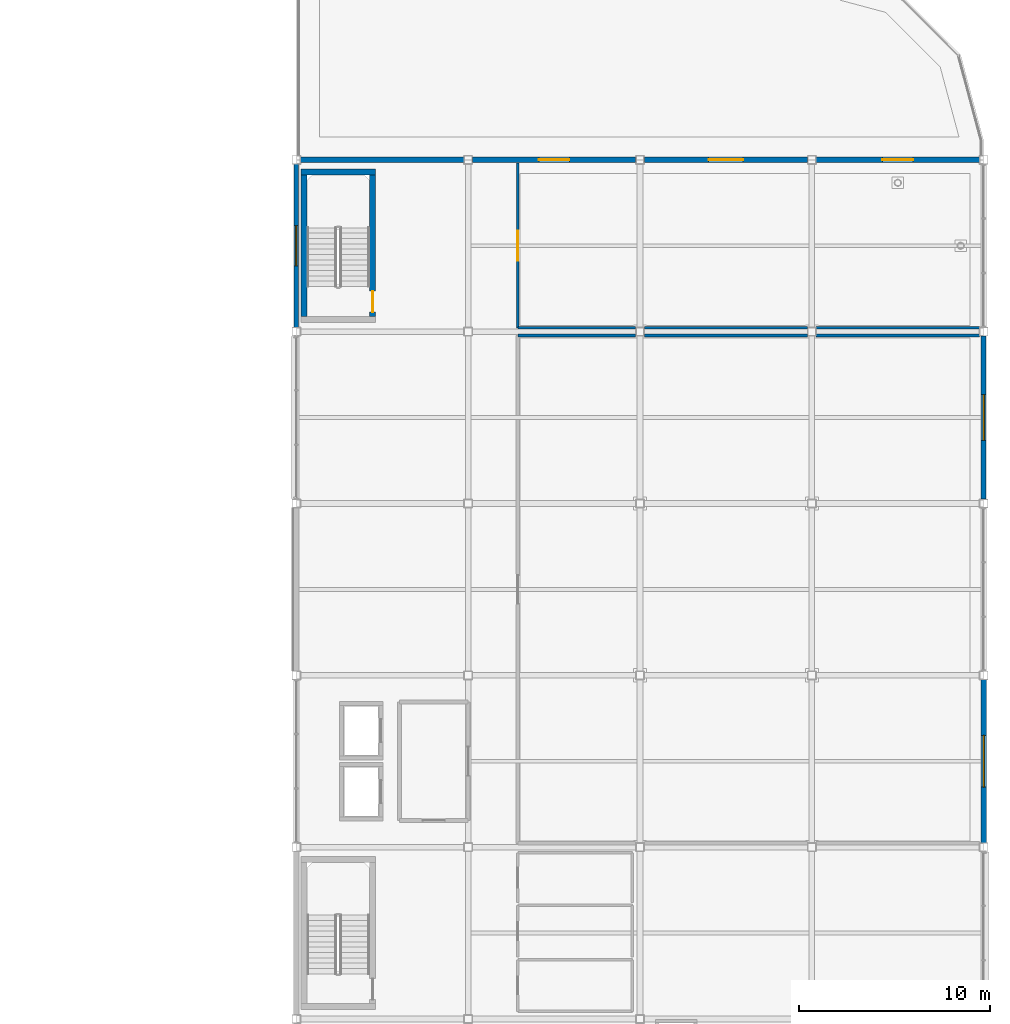
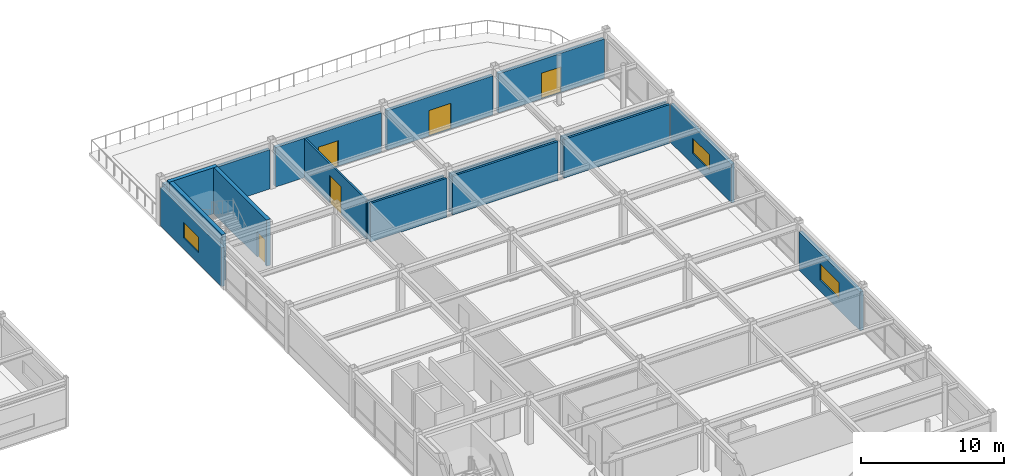
# One storey, part 83 of 108: 17 walls, 5 doors, 3 windows, 8 openings.
"""IFC4 building model written with IfcOpenShell, lengths in metres."""

from ifc_helpers import new_model, si_unit, direction, frame, frame_2d, origin, place, context, subcontext, project, spatial, rectangle, extrude, material, layer, layer_set, type_object, element, fill, save


model = new_model("IFC4")

# Units and contexts
model_context = context("Model", 3, precision=1e-05, world=origin(), true_north=direction((0.0, 1.0)))
body_context = subcontext(model_context, "Body", "Model", "MODEL_VIEW")
ifc_project = project(units=[si_unit("LENGTHUNIT", "METRE"), si_unit("AREAUNIT", "SQUARE_METRE"), si_unit("VOLUMEUNIT", "CUBIC_METRE"), si_unit("PLANEANGLEUNIT", "RADIAN"), si_unit("MASSUNIT", "GRAM", prefix="KILO")], contexts=[model_context])

# Site, building, storey
site_placement = place(None, origin())
site = spatial("IfcSite", under=ifc_project, at=site_placement, CompositionType="ELEMENT")
building_placement = place(site_placement, origin())
building = spatial("IfcBuilding", under=site, at=building_placement, Name="Suzunagisa Mobility Hub", CompositionType="ELEMENT")
storey_placement = place(building_placement, frame((0.0, 0.0, 9.300048828125)))
storey = spatial("IfcBuildingStorey", under=building, at=storey_placement, Name="L02", CompositionType="ELEMENT", Elevation=9.300048828125)

# Wall, opening, window
ifc_material_1 = material(Name="Porcelain-Faced Insulated Concrete C30/37 Wall", Category="concrete")
ifc_layer_1 = layer(ifc_material_1, 0.260009765625)
ifc_layer_set_1 = layer_set([ifc_layer_1], Name="Porcelain-Faced Insulated Concrete C30/37 Wall")
wall_type_1 = type_object("IfcWallType", Name="Exterior Wall EW-03 260mm", PredefinedType="SOLIDWALL", material=ifc_layer_set_1)
wall_1_placement = place(storey_placement, frame((180.0, 80.22509765625, 0.0), z_axis=(0.0, 0.0, 1.0), x_axis=(0.0, 1.0, 0.0)))
wall_1 = element("IfcWall", 1, at=wall_1_placement, inside=storey, type_object=wall_type_1, Name="L02 Exterior Facade Wall EW-374", PredefinedType="SOLIDWALL", context=body_context, shape_type="SweptSolid", body=[
    extrude(rectangle(XDim=8.5498046875, YDim=0.260009765625, at=frame_2d((4.27490234375, 0.0))), origin(), (0.0, 0.0, 1.0), 3.300048828125),
])
opening_1_placement = place(wall_1_placement, frame((3.074951171875, 0.0, 0.949951171875)))
opening_1 = element("IfcOpeningElement", 2, at=opening_1_placement, cuts=wall_1, Name="Opening WN-30", PredefinedType="OPENING", context=body_context, shape_type="SweptSolid", body=[
    extrude(rectangle(XDim=2.39990234375, YDim=1.300048828125, at=frame_2d((1.199951171875, 0.64990234375))), frame((0.0, 0.14111328125, 0.0), z_axis=(0.0, -1.0, 0.0), x_axis=(1.0, 0.0, 0.0)), (0.0, 0.0, 1.0), 0.281982421875),
])
ifc_material_2 = material(Name="Thermally Broken Anodized Aluminum and Low-E Double Glazing", Category="aluminium")
window_type_1 = type_object("IfcWindowType", Name="Aluminum Window WN-30 2400x1300", PartitioningType="SINGLE_PANEL", PredefinedType="WINDOW", material=ifc_material_2)
window_1_placement = place(opening_1_placement, origin())
window_1 = element("IfcWindow", 3, at=window_1_placement, inside=storey, type_object=window_type_1, Name="L02 Scheduled Facade Window WN-127", OverallHeight=1.300048828125, OverallWidth=2.39990234375, PartitioningType="SINGLE_PANEL", PredefinedType="WINDOW", context=body_context, shape_type="SweptSolid", body=[
    extrude(rectangle(XDim=2.39990234375, YDim=1.300048828125, at=frame_2d((1.199951171875, 0.64990234375))), frame((0.0, 0.030029296875, 0.0), z_axis=(0.0, -1.0, 0.0), x_axis=(1.0, 0.0, 0.0)), (0.0, 0.0, 1.0), 0.06005859375),
])
fill(opening_1, window_1)

ifc_material_3 = material(Name="Lightweight Insulated Autoclaved Concrete C30/37 Wall", Category="concrete")
ifc_layer_2 = layer(ifc_material_3, 0.239990234375)
ifc_layer_set_2 = layer_set([ifc_layer_2], Name="Lightweight Insulated Autoclaved Concrete C30/37 Wall")
wall_type_2 = type_object("IfcWallType", Name="Exterior Wall EW-04 240mm", PredefinedType="SOLIDWALL", material=ifc_layer_set_2)
wall_2_placement = place(storey_placement, frame((144.0, 97.77490234375, 0.0), z_axis=(0.0, 0.0, 1.0), x_axis=(0.0, -1.0, 0.0)))
wall_2 = element("IfcWall", 4, at=wall_2_placement, inside=storey, type_object=wall_type_2, Name="L02 Exterior Facade Wall EW-379", PredefinedType="SOLIDWALL", context=body_context, shape_type="SweptSolid", body=[
    extrude(rectangle(XDim=8.5498046875, YDim=0.239990234375, at=frame_2d((4.27490234375, 0.0))), origin(), (0.0, 0.0, 1.0), 3.300048828125),
])
opening_2_placement = place(wall_2_placement, frame((3.22509765625, 0.0, 0.949951171875)))
opening_2 = element("IfcOpeningElement", 5, at=opening_2_placement, cuts=wall_2, Name="Opening WN-07", PredefinedType="OPENING", context=body_context, shape_type="SweptSolid", body=[
    extrude(rectangle(XDim=2.10009765625, YDim=1.300048828125, at=frame_2d((1.050048828125, 0.64990234375))), frame((0.0, 0.130859375, 0.0), z_axis=(0.0, -1.0, 0.0), x_axis=(1.0, 0.0, 0.0)), (0.0, 0.0, 1.0), 0.261962890625),
])
window_type_2 = type_object("IfcWindowType", Name="Aluminum Window WN-07 2100x1300", PartitioningType="SINGLE_PANEL", PredefinedType="WINDOW", material=ifc_material_2)
window_2_placement = place(opening_2_placement, origin())
window_2 = element("IfcWindow", 6, at=window_2_placement, inside=storey, type_object=window_type_2, Name="L02 Scheduled Facade Window WN-128", OverallHeight=1.300048828125, OverallWidth=2.10009765625, PartitioningType="SINGLE_PANEL", PredefinedType="WINDOW", context=body_context, shape_type="SweptSolid", body=[
    extrude(rectangle(XDim=2.10009765625, YDim=1.300048828125, at=frame_2d((1.050048828125, 0.64990234375))), frame((0.0, 0.030029296875, 0.0), z_axis=(0.0, -1.0, 0.0), x_axis=(1.0, 0.0, 0.0)), (0.0, 0.0, 1.0), 0.06005859375),
])
fill(opening_2, window_2)

ifc_layer_3 = layer(ifc_material_1, 0.280029296875)
ifc_layer_set_3 = layer_set([ifc_layer_3], Name="Porcelain-Faced Insulated Concrete C30/37 Wall")
wall_type_3 = type_object("IfcWallType", Name="Exterior Wall EW-08 280mm", PredefinedType="SOLIDWALL", material=ifc_layer_set_3)
wall_3_placement = place(storey_placement, frame((180.0, 62.22509765625, 0.0), z_axis=(0.0, 0.0, 1.0), x_axis=(0.0, 1.0, 0.0)))
wall_3 = element("IfcWall", 7, at=wall_3_placement, inside=storey, type_object=wall_type_3, Name="L02 Exterior Facade Wall EW-373", PredefinedType="SOLIDWALL", context=body_context, shape_type="SweptSolid", body=[
    extrude(rectangle(XDim=8.5498046875, YDim=0.280029296875, at=frame_2d((4.27490234375, 0.0))), origin(), (0.0, 0.0, 1.0), 3.300048828125),
])
opening_3_placement = place(wall_3_placement, frame((2.925048828125, 0.0, 0.949951171875)))
opening_3 = element("IfcOpeningElement", 8, at=opening_3_placement, cuts=wall_3, Name="Opening WN-20", PredefinedType="OPENING", context=body_context, shape_type="SweptSolid", body=[
    extrude(rectangle(XDim=2.699951171875, YDim=1.39990234375, at=frame_2d((1.35009765625, 0.699951171875))), frame((0.0, 0.15087890625, 0.0), z_axis=(0.0, -1.0, 0.0), x_axis=(1.0, 0.0, 0.0)), (0.0, 0.0, 1.0), 0.302001953125),
])
window_type_3 = type_object("IfcWindowType", Name="Aluminum Window WN-20 2700x1400", PartitioningType="SINGLE_PANEL", PredefinedType="WINDOW", material=ifc_material_2)
window_3_placement = place(opening_3_placement, origin())
window_3 = element("IfcWindow", 9, at=window_3_placement, inside=storey, type_object=window_type_3, Name="L02 Scheduled Facade Window WN-126", OverallHeight=1.39990234375, OverallWidth=2.699951171875, PartitioningType="SINGLE_PANEL", PredefinedType="WINDOW", context=body_context, shape_type="SweptSolid", body=[
    extrude(rectangle(XDim=2.699951171875, YDim=1.39990234375, at=frame_2d((1.35009765625, 0.699951171875))), frame((0.0, 0.030029296875, 0.0), z_axis=(0.0, -1.0, 0.0), x_axis=(1.0, 0.0, 0.0)), (0.0, 0.0, 1.0), 0.06005859375),
])
fill(opening_3, window_3)

# Wall, opening, door
wall_4_placement = place(storey_placement, frame((179.77490234375, 98.0, 0.0), z_axis=(0.0, 0.0, 1.0), x_axis=(-1.0, 0.0, 0.0)))
wall_4 = element("IfcWall", 10, at=wall_4_placement, inside=storey, type_object=wall_type_3, Name="L02 Terrace Access Wall 375", PredefinedType="SOLIDWALL", context=body_context, shape_type="SweptSolid", body=[
    extrude(rectangle(XDim=8.5498046875, YDim=0.280029296875, at=frame_2d((4.27490234375, 0.0))), origin(), (0.0, 0.0, 1.0), 3.362060546875),
])
opening_4_placement = place(wall_4_placement, frame((5.0751953125, 0.0, 0.0), z_axis=(0.0, 0.0, 1.0), x_axis=(-1.0, 0.0, 0.0)))
opening_4 = element("IfcOpeningElement", 11, at=opening_4_placement, cuts=wall_4, Name="Opening ED-03", PredefinedType="OPENING", context=body_context, shape_type="SweptSolid", body=[
    extrude(rectangle(XDim=1.60009765625, YDim=2.199951171875, at=frame_2d((0.800048828125, 1.10009765625))), frame((0.0, 0.15087890625, 0.0), z_axis=(0.0, -1.0, 0.0), x_axis=(1.0, 0.0, 0.0)), (0.0, 0.0, 1.0), 0.302001953125),
])
ifc_material_4 = material(Name="Anodized Aluminum and Tempered Safety Glass", Category="aluminium")
door_type_1 = type_object("IfcDoorType", Name="Exterior Glazed Aluminum Door ED-03 1600x2200", OperationType="DOUBLE_DOOR_SINGLE_SWING", PredefinedType="DOOR", material=ifc_material_4)
door_1_placement = place(opening_4_placement, origin())
door_1 = element("IfcDoor", 12, at=door_1_placement, inside=storey, type_object=door_type_1, Name="L02 Roof Garden Terrace Access Door TD-39", OperationType="SINGLE_SWING_LEFT", OverallHeight=2.199951171875, OverallWidth=1.60009765625, PredefinedType="DOOR", context=body_context, shape_type="SweptSolid", body=[
    extrude(rectangle(XDim=1.60009765625, YDim=2.199951171875, at=frame_2d((0.800048828125, 1.10009765625))), frame((0.0, 0.02490234375, 0.0), z_axis=(0.0, -1.0, 0.0), x_axis=(1.0, 0.0, 0.0)), (0.0, 0.0, 1.0), 0.050048828125),
])
fill(opening_4, door_1)

wall_5_placement = place(storey_placement, frame((170.77490234375, 98.0, 0.0), z_axis=(0.0, 0.0, 1.0), x_axis=(-1.0, 0.0, 0.0)))
wall_5 = element("IfcWall", 13, at=wall_5_placement, inside=storey, type_object=wall_type_3, Name="L02 Terrace Access Wall 376", PredefinedType="SOLIDWALL", context=body_context, shape_type="SweptSolid", body=[
    extrude(rectangle(XDim=8.5498046875, YDim=0.280029296875, at=frame_2d((4.27490234375, 0.0))), origin(), (0.0, 0.0, 1.0), 3.362060546875),
])
opening_5_placement = place(wall_5_placement, frame((5.175048828125, 0.0, 0.0), z_axis=(0.0, 0.0, 1.0), x_axis=(-1.0, 0.0, 0.0)))
opening_5 = element("IfcOpeningElement", 14, at=opening_5_placement, cuts=wall_5, Name="Opening ED-12", PredefinedType="OPENING", context=body_context, shape_type="SweptSolid", body=[
    extrude(rectangle(XDim=1.800048828125, YDim=2.199951171875, at=frame_2d((0.89990234375, 1.10009765625))), frame((0.0, 0.15087890625, 0.0), z_axis=(0.0, -1.0, 0.0), x_axis=(1.0, 0.0, 0.0)), (0.0, 0.0, 1.0), 0.302001953125),
])
door_type_2 = type_object("IfcDoorType", Name="Exterior Glazed Aluminum Door ED-12 1800x2200", OperationType="DOUBLE_DOOR_SINGLE_SWING", PredefinedType="DOOR", material=ifc_material_4)
door_2_placement = place(opening_5_placement, origin())
door_2 = element("IfcDoor", 15, at=door_2_placement, inside=storey, type_object=door_type_2, Name="L02 Roof Garden Terrace Access Door TD-40", OperationType="SINGLE_SWING_LEFT", OverallHeight=2.199951171875, OverallWidth=1.800048828125, PredefinedType="DOOR", context=body_context, shape_type="SweptSolid", body=[
    extrude(rectangle(XDim=1.800048828125, YDim=2.199951171875, at=frame_2d((0.89990234375, 1.10009765625))), frame((0.0, 0.02490234375, 0.0), z_axis=(0.0, -1.0, 0.0), x_axis=(1.0, 0.0, 0.0)), (0.0, 0.0, 1.0), 0.050048828125),
])
fill(opening_5, door_2)

wall_6_placement = place(storey_placement, frame((161.77490234375, 98.0, 0.0), z_axis=(0.0, 0.0, 1.0), x_axis=(-1.0, 0.0, 0.0)))
wall_6 = element("IfcWall", 16, at=wall_6_placement, inside=storey, type_object=wall_type_3, Name="L02 Terrace Access Wall 377", PredefinedType="SOLIDWALL", context=body_context, shape_type="SweptSolid", body=[
    extrude(rectangle(XDim=8.5498046875, YDim=0.280029296875, at=frame_2d((4.27490234375, 0.0))), origin(), (0.0, 0.0, 1.0), 3.362060546875),
])
opening_6_placement = place(wall_6_placement, frame((5.0751953125, 0.0, 0.0), z_axis=(0.0, 0.0, 1.0), x_axis=(-1.0, 0.0, 0.0)))
opening_6 = element("IfcOpeningElement", 17, at=opening_6_placement, cuts=wall_6, Name="Opening ED-03", PredefinedType="OPENING", context=body_context, shape_type="SweptSolid", body=[
    extrude(rectangle(XDim=1.60009765625, YDim=2.199951171875, at=frame_2d((0.800048828125, 1.10009765625))), frame((0.0, 0.15087890625, 0.0), z_axis=(0.0, -1.0, 0.0), x_axis=(1.0, 0.0, 0.0)), (0.0, 0.0, 1.0), 0.302001953125),
])
door_3_placement = place(opening_6_placement, origin())
door_3 = element("IfcDoor", 18, at=door_3_placement, inside=storey, type_object=door_type_1, Name="L02 Roof Garden Terrace Access Door TD-41", OperationType="SINGLE_SWING_LEFT", OverallHeight=2.199951171875, OverallWidth=1.60009765625, PredefinedType="DOOR", context=body_context, shape_type="SweptSolid", body=[
    extrude(rectangle(XDim=1.60009765625, YDim=2.199951171875, at=frame_2d((0.800048828125, 1.10009765625))), frame((0.0, 0.02490234375, 0.0), z_axis=(0.0, -1.0, 0.0), x_axis=(1.0, 0.0, 0.0)), (0.0, 0.0, 1.0), 0.050048828125),
])
fill(opening_6, door_3)

# Walls
wall_7_placement = place(storey_placement, frame((152.77490234375, 98.0, 0.0), z_axis=(0.0, 0.0, 1.0), x_axis=(-1.0, 0.0, 0.0)))
element("IfcWall", 19, at=wall_7_placement, inside=storey, type_object=wall_type_3, Name="L02 Terrace Access Wall 378", PredefinedType="SOLIDWALL", context=body_context, shape_type="SweptSolid", body=[
    extrude(rectangle(XDim=8.5498046875, YDim=0.280029296875, at=frame_2d((4.27490234375, 0.0))), origin(), (0.0, 0.0, 1.0), 3.362060546875),
])
ifc_material_5 = material(Name="Concrete C35/45", Category="concrete")
ifc_layer_4 = layer(ifc_material_5, 0.31005859375)
ifc_layer_set_4 = layer_set([ifc_layer_4], Name="Concrete C35/45")
wall_type_4 = type_object("IfcWallType", Name="Interior Wall IW-01 310mm", PredefinedType="SHEAR", material=ifc_layer_set_4)
wall_8_placement = place(storey_placement, frame((144.25, 97.35498046875, 0.0), z_axis=(0.0, 0.0, 1.0), x_axis=(1.0, 0.0, 0.0)))
element("IfcWall", 20, at=wall_8_placement, inside=storey, type_object=wall_type_4, Name="L02 Core C5B Shear Wall SW-474", PredefinedType="SHEAR", context=body_context, shape_type="SweptSolid", body=[
    extrude(rectangle(XDim=3.89990234375, YDim=0.31005859375, at=frame_2d((1.949951171875, 0.0))), origin(), (0.0, 0.0, 1.0), 3.949951171875),
])
wall_9_placement = place(storey_placement, frame((144.405029296875, 89.800048828125, 0.0), z_axis=(0.0, 0.0, 1.0), x_axis=(0.0, 1.0, 0.0)))
element("IfcWall", 21, at=wall_9_placement, inside=storey, type_object=wall_type_4, Name="L02 Core C5B Shear Wall SW-475", PredefinedType="SHEAR", context=body_context, shape_type="SweptSolid", body=[
    extrude(rectangle(XDim=7.39990234375, YDim=0.31005859375, at=frame_2d((3.699951171875, 0.0))), origin(), (0.0, 0.0, 1.0), 3.949951171875),
])

# Wall, opening, door
wall_10_placement = place(storey_placement, frame((147.9951171875, 89.800048828125, 0.0), z_axis=(0.0, 0.0, 1.0), x_axis=(0.0, 1.0, 0.0)))
wall_10 = element("IfcWall", 22, at=wall_10_placement, inside=storey, type_object=wall_type_4, Name="L02 Core C5B Shear Wall SW-476", PredefinedType="SHEAR", context=body_context, shape_type="SweptSolid", body=[
    extrude(rectangle(XDim=7.39990234375, YDim=0.31005859375, at=frame_2d((3.699951171875, 0.0))), origin(), (0.0, 0.0, 1.0), 3.949951171875),
])
opening_7_placement = place(wall_10_placement, frame((0.219970703125, 0.0, 0.0)))
opening_7 = element("IfcOpeningElement", 23, at=opening_7_placement, cuts=wall_10, Name="Opening DR-05", PredefinedType="OPENING", context=body_context, shape_type="SweptSolid", body=[
    extrude(rectangle(XDim=1.10009765625, YDim=2.14990234375, at=frame_2d((0.550048828125, 1.074951171875))), frame((0.0, 0.166015625, 0.0), z_axis=(0.0, -1.0, 0.0), x_axis=(1.0, 0.0, 0.0)), (0.0, 0.0, 1.0), 0.33203125),
])
ifc_material_6 = material(Name="Fire-Rated Hollow Steel Stair Door", Category="steel")
door_type_3 = type_object("IfcDoorType", Name="Interior Door DR-05 1100x2150", OperationType="SINGLE_SWING_LEFT", PredefinedType="DOOR", material=ifc_material_6)
door_4_placement = place(opening_7_placement, origin())
door_4 = element("IfcDoor", 24, at=door_4_placement, inside=storey, type_object=door_type_3, Name="L02 Core C5B Escape Stair Fire Door SD-116", OperationType="SINGLE_SWING_LEFT", OverallHeight=2.14990234375, OverallWidth=1.10009765625, PredefinedType="DOOR", context=body_context, shape_type="SweptSolid", body=[
    extrude(rectangle(XDim=1.10009765625, YDim=2.14990234375, at=frame_2d((0.550048828125, 1.074951171875))), frame((0.0, 0.02490234375, 0.0), z_axis=(0.0, -1.0, 0.0), x_axis=(1.0, 0.0, 0.0)), (0.0, 0.0, 1.0), 0.050048828125),
])
fill(opening_7, door_4)

# Walls
ifc_material_7 = material(Name="Fire-Rated Gypsum Stud Partition", Category="gypsum")
ifc_layer_5 = layer(ifc_material_7, 0.169921875)
ifc_layer_set_5 = layer_set([ifc_layer_5], Name="Fire-Rated Gypsum Stud Partition")
wall_type_5 = type_object("IfcWallType", Name="Interior Wall IW-05 170mm", PredefinedType="PARTITIONING", material=ifc_layer_set_5)
wall_11_placement = place(storey_placement, frame((155.60009765625, 88.800048828125, 0.0), z_axis=(0.0, 0.0, 1.0), x_axis=(1.0, 0.0, 0.0)))
element("IfcWall", 25, at=wall_11_placement, inside=storey, type_object=wall_type_5, Name="L02 Community Mobility Exhibition and Civic Forum Hall Partition PW-835", PredefinedType="PARTITIONING", context=body_context, shape_type="SweptSolid", body=[
    extrude(rectangle(XDim=6.1748046875, YDim=0.169921875, at=frame_2d((3.08740234375, 0.0))), origin(), (0.0, 0.0, 1.0), 3.300048828125),
])
for number, where, z_axis, x_axis, name in (
    (26, (162.22509765625, 88.800048828125, 0.0), (0.0, 0.0, 1.0), (1.0, 0.0, 0.0), "L02 Community Mobility Exhibition and Civic Forum Hall Partition PW-836"),
    (27, (171.22509765625, 88.800048828125, 0.0), (0.0, 0.0, 1.0), (1.0, 0.0, 0.0), "L02 Community Mobility Exhibition and Civic Forum Hall Partition PW-837"),
):
    element("IfcWall", number, at=place(storey_placement, frame(where, z_axis=z_axis, x_axis=x_axis)), inside=storey, type_object=wall_type_5, Name=name, PredefinedType="PARTITIONING", context=body_context, shape_type="SweptSolid", body=[
        extrude(rectangle(XDim=8.5498046875, YDim=0.169921875, at=frame_2d((4.27490234375, 0.0))), origin(), (0.0, 0.0, 1.0), 3.300048828125),
    ])
ifc_material_8 = material(Name="Acoustic Steel-Stud Gypsum Partition", Category="steel")
ifc_layer_6 = layer(ifc_material_8, 0.14501953125)
ifc_layer_set_6 = layer_set([ifc_layer_6], Name="Acoustic Steel-Stud Gypsum Partition")
wall_type_6 = type_object("IfcWallType", Name="Interior Wall IW-06 145mm", PredefinedType="PARTITIONING", material=ifc_layer_set_6)
wall_12_placement = place(storey_placement, frame((155.60009765625, 89.199951171875, 0.0), z_axis=(0.0, 0.0, 1.0), x_axis=(1.0, 0.0, 0.0)))
element("IfcWall", 28, at=wall_12_placement, inside=storey, type_object=wall_type_6, Name="L02 District Disaster Prevention Stockpile Store L02 Partition PW-839", PredefinedType="PARTITIONING", context=body_context, shape_type="SweptSolid", body=[
    extrude(rectangle(XDim=6.1748046875, YDim=0.14501953125, at=frame_2d((3.08740234375, 0.0))), origin(), (0.0, 0.0, 1.0), 3.300048828125),
])
for number, where, z_axis, x_axis, name in (
    (29, (162.22509765625, 89.199951171875, 0.0), (0.0, 0.0, 1.0), (1.0, 0.0, 0.0), "L02 District Disaster Prevention Stockpile Store L02 Partition PW-840"),
    (30, (171.22509765625, 89.199951171875, 0.0), (0.0, 0.0, 1.0), (1.0, 0.0, 0.0), "L02 District Disaster Prevention Stockpile Store L02 Partition PW-841"),
):
    element("IfcWall", number, at=place(storey_placement, frame(where, z_axis=z_axis, x_axis=x_axis)), inside=storey, type_object=wall_type_6, Name=name, PredefinedType="PARTITIONING", context=body_context, shape_type="SweptSolid", body=[
        extrude(rectangle(XDim=8.5498046875, YDim=0.14501953125, at=frame_2d((4.27490234375, 0.0))), origin(), (0.0, 0.0, 1.0), 3.300048828125),
    ])

# Wall, opening, door
wall_13_placement = place(storey_placement, frame((155.60009765625, 89.199951171875, 0.0), z_axis=(0.0, 0.0, 1.0), x_axis=(0.0, 1.0, 0.0)))
wall_13 = element("IfcWall", 31, at=wall_13_placement, inside=storey, type_object=wall_type_6, Name="L02 District Disaster Prevention Stockpile Store L02 Partition PW-842", PredefinedType="PARTITIONING", context=body_context, shape_type="SweptSolid", body=[
    extrude(rectangle(XDim=8.635009765625, YDim=0.14501953125, at=frame_2d((4.3173828125, 0.0))), origin(), (0.0, 0.0, 1.0), 3.362060546875),
])
opening_8_placement = place(wall_13_placement, frame((3.52001953125, 0.0, 0.0)))
opening_8 = element("IfcOpeningElement", 32, at=opening_8_placement, cuts=wall_13, Name="Opening DR-08", PredefinedType="OPENING", context=body_context, shape_type="SweptSolid", body=[
    extrude(rectangle(XDim=1.56005859375, YDim=2.35009765625, at=frame_2d((0.780029296875, 1.175048828125))), frame((0.0, 0.08349609375, 0.0), z_axis=(0.0, -1.0, 0.0), x_axis=(1.0, 0.0, 0.0)), (0.0, 0.0, 1.0), 0.1669921875),
])
ifc_material_9 = material(Name="Anodized Aluminum Double Lounge Door", Category="aluminium")
door_type_4 = type_object("IfcDoorType", Name="Interior Door DR-08 1560x2350", OperationType="SINGLE_SWING_LEFT", PredefinedType="DOOR", material=ifc_material_9)
door_5_placement = place(opening_8_placement, origin())
door_5 = element("IfcDoor", 33, at=door_5_placement, inside=storey, type_object=door_type_4, Name="L02 District Disaster Prevention Stockpile Store L02 Door DR-209", OperationType="SINGLE_SWING_RIGHT", OverallHeight=2.35009765625, OverallWidth=1.56005859375, PredefinedType="DOOR", context=body_context, shape_type="SweptSolid", body=[
    extrude(rectangle(XDim=1.56005859375, YDim=2.35009765625, at=frame_2d((0.780029296875, 1.175048828125))), frame((0.0, 0.02490234375, 0.0), z_axis=(0.0, -1.0, 0.0), x_axis=(1.0, 0.0, 0.0)), (0.0, 0.0, 1.0), 0.050048828125),
])
fill(opening_8, door_5)

save(model, "model.ifc")
